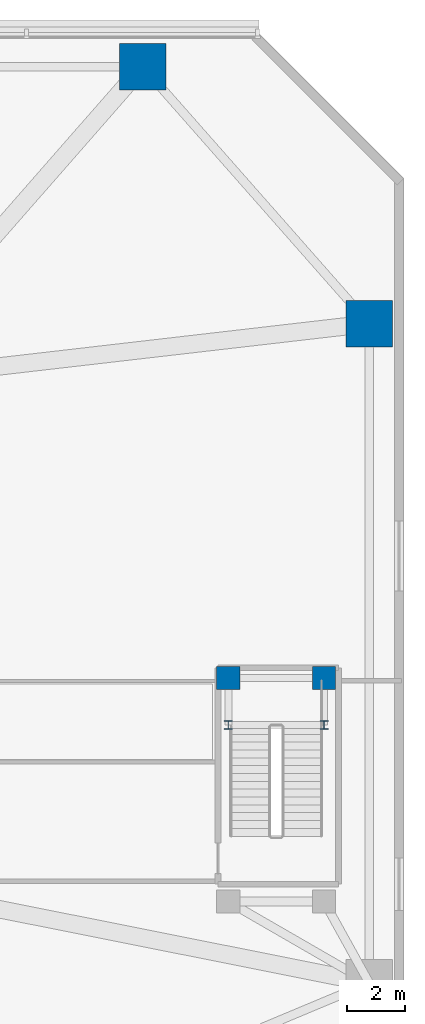
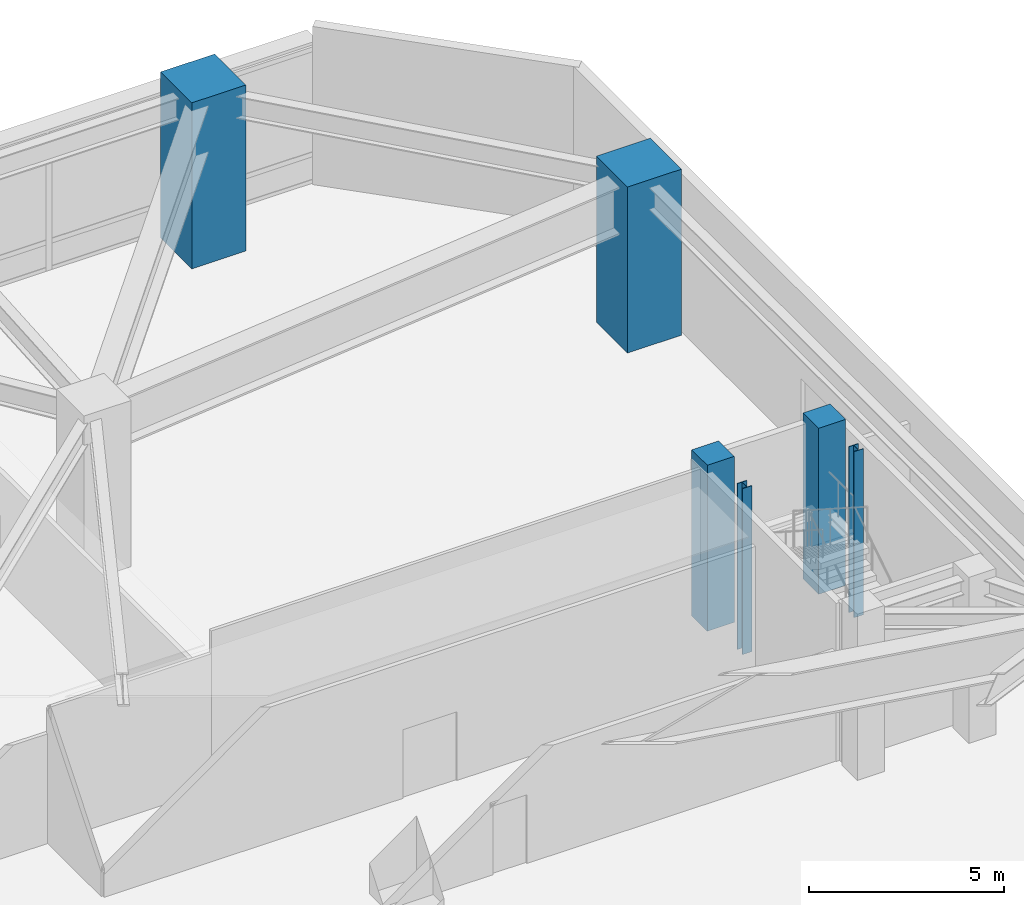
# One storey, part 4 of 27: 6 columns.
"""IFC4 building model written with IfcOpenShell, lengths in metres."""

from ifc_helpers import new_model, si_unit, direction, frame, origin, origin_2d, place, context, subcontext, project, spatial, rectangle, i_section, extrude, material, material_profile, profile_set, type_object, element, save


model = new_model("IFC4")

# Units and contexts
model_context = context("Model", 3, precision=1e-05, world=origin(), true_north=direction((0.0, 1.0)))
body_context = subcontext(model_context, "Body", "Model", "MODEL_VIEW")
ifc_project = project(units=[si_unit("LENGTHUNIT", "METRE"), si_unit("AREAUNIT", "SQUARE_METRE"), si_unit("VOLUMEUNIT", "CUBIC_METRE"), si_unit("PLANEANGLEUNIT", "RADIAN"), si_unit("MASSUNIT", "GRAM", prefix="KILO")], contexts=[model_context])

# Site, building, storey
site_placement = place(None, origin())
site = spatial("IfcSite", under=ifc_project, at=site_placement, CompositionType="ELEMENT")
building_placement = place(site_placement, origin())
building = spatial("IfcBuilding", under=site, at=building_placement, Name="Terralouvre Media Tower", CompositionType="ELEMENT")
storey_placement = place(building_placement, frame((0.0, 0.0, 5.199951171875)))
storey = spatial("IfcBuildingStorey", under=building, at=storey_placement, Name="L01", CompositionType="ELEMENT", Elevation=5.199951171875)

# Columns
ifc_material_1 = material(Name="Structural steel S355J2", Category="steel")
ifc_material_profile_1 = material_profile(ifc_material_1, i_section(OverallWidth=0.280029296875, OverallDepth=0.280029296875, WebThickness=0.010498046875, FlangeThickness=0.01806640625, at=origin_2d()), Name="HEB 280")
ifc_profile_set_1 = profile_set([ifc_material_profile_1], Name="Structural steel S355J2")
column_type_1 = type_object("IfcColumnType", Name="Basement Aisle Pilaster PL-HEB280 (HEB 280)", PredefinedType="PILASTER", material=ifc_profile_set_1)
for number, where, z_axis, x_axis, name in (
    (1, (30.949951171875, 9.679931640625, 0.0), (0.0, 0.0, 1.0), (1.0, 0.0, 0.0), "L01 Stair Half-Landing Post ST4CLP1"),
    (2, (34.25, 9.679931640625, 0.0), (0.0, 0.0, 1.0), (1.0, 0.0, 0.0), "L01 Stair Half-Landing Post ST4CLP2"),
):
    element("IfcColumn", number, at=place(storey_placement, frame(where, z_axis=z_axis, x_axis=x_axis)), inside=storey, type_object=column_type_1, Name=name, PredefinedType="PILASTER", context=body_context, shape_type="SweptSolid", body=[
        extrude(i_section(OverallWidth=0.280029296875, OverallDepth=0.280029296875, WebThickness=0.010498046875, FlangeThickness=0.01806640625, at=origin_2d()), origin(), (0.0, 0.0, 1.0), 5.199951171875),
    ])
ifc_material_2 = material(Name="Concrete C60/75", Category="concrete")
ifc_material_profile_2 = material_profile(ifc_material_2, rectangle(XDim=1.60009765625, YDim=1.60009765625, at=origin_2d()), Name="RC 1600x1600")
ifc_profile_set_2 = profile_set([ifc_material_profile_2], Name="Concrete C60/75")
column_type_2 = type_object("IfcColumnType", Name="Structural Column C-RC1600 (RC 1600x1600)", PredefinedType="COLUMN", material=ifc_profile_set_2)
for number, where, z_axis, x_axis, name in (
    (3, (35.800048828125, 23.5, 0.0), (0.0, 0.0, 1.0), (1.0, 0.0, 0.0), "L01 Perimeter Mega-Column PM09"),
    (4, (28.0, 32.35009765625, 0.0), (0.0, 0.0, 1.0), (1.0, 0.0, 0.0), "L01 Perimeter Mega-Column PM10"),
):
    element("IfcColumn", number, at=place(storey_placement, frame(where, z_axis=z_axis, x_axis=x_axis)), inside=storey, type_object=column_type_2, Name=name, PredefinedType="COLUMN", context=body_context, shape_type="SweptSolid", body=[
        extrude(rectangle(XDim=1.60009765625, YDim=1.60009765625, at=origin_2d()), origin(), (0.0, 0.0, 1.0), 5.199951171875),
    ])
ifc_material_3 = material(Name="Concrete C50/60", Category="concrete")
ifc_material_profile_3 = material_profile(ifc_material_3, rectangle(XDim=0.800048828125, YDim=0.800048828125, at=origin_2d()), Name="RC 800x800")
ifc_profile_set_3 = profile_set([ifc_material_profile_3], Name="Concrete C50/60")
column_type_3 = type_object("IfcColumnType", Name="Structural Column C-RC800 (RC 800x800)", PredefinedType="COLUMN", material=ifc_profile_set_3)
for number, where, z_axis, x_axis, name in (
    (5, (34.25, 11.300048828125, 0.0), (0.0, 0.0, 1.0), (1.0, 0.0, 0.0), "L01 Stair Pavilion Support Column ST4C3"),
    (6, (30.949951171875, 11.300048828125, 0.0), (0.0, 0.0, 1.0), (1.0, 0.0, 0.0), "L01 Stair Pavilion Support Column ST4C4"),
):
    element("IfcColumn", number, at=place(storey_placement, frame(where, z_axis=z_axis, x_axis=x_axis)), inside=storey, type_object=column_type_3, Name=name, PredefinedType="COLUMN", context=body_context, shape_type="SweptSolid", body=[
        extrude(rectangle(XDim=0.800048828125, YDim=0.800048828125, at=origin_2d()), origin(), (0.0, 0.0, 1.0), 5.199951171875),
    ])

save(model, "model.ifc")
